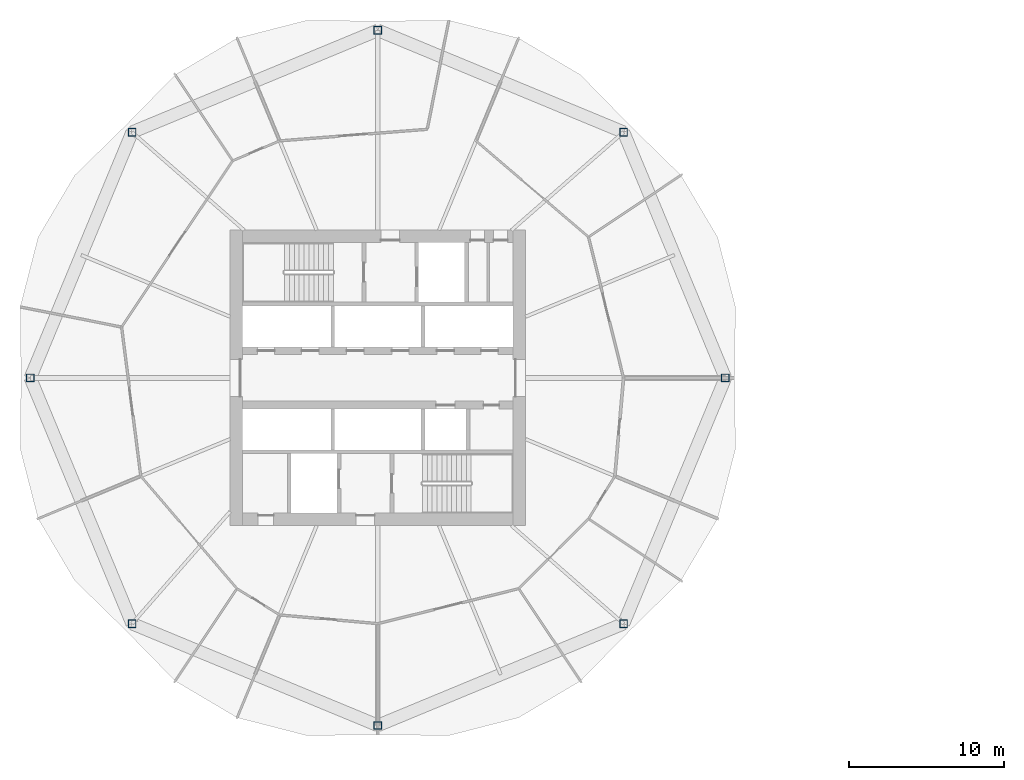
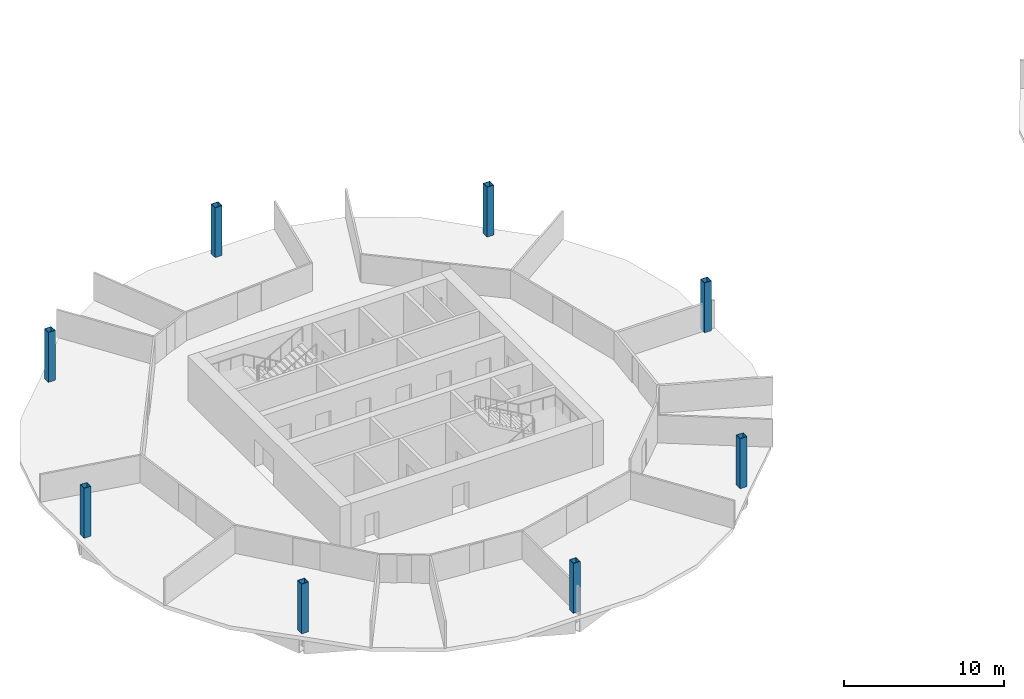
# One storey, part 1 of 10: 8 columns.
"""IFC4 building model written with IfcOpenShell, lengths in metres."""

from ifc_helpers import new_model, si_unit, direction, frame, origin, origin_2d, place, context, subcontext, project, spatial, hollow_rectangle, extrude, material, material_profile, profile_set, type_object, element, save


model = new_model("IFC4")

# Units and contexts
model_context = context("Model", 3, precision=1e-05, world=origin(), true_north=direction((0.0, 1.0)))
body_context = subcontext(model_context, "Body", "Model", "MODEL_VIEW")
ifc_project = project(units=[si_unit("LENGTHUNIT", "METRE"), si_unit("AREAUNIT", "SQUARE_METRE"), si_unit("VOLUMEUNIT", "CUBIC_METRE"), si_unit("PLANEANGLEUNIT", "RADIAN"), si_unit("MASSUNIT", "GRAM", prefix="KILO")], contexts=[model_context])

# Site, building, storey
site_placement = place(None, origin())
site = spatial("IfcSite", under=ifc_project, at=site_placement, CompositionType="ELEMENT")
building_placement = place(site_placement, origin())
building = spatial("IfcBuilding", under=site, at=building_placement, Name="Ogive Gate Towers", CompositionType="ELEMENT")
storey_placement = place(building_placement, frame((0.0, 0.0, 126.89990234375)))
storey = spatial("IfcBuildingStorey", under=building, at=storey_placement, Name="L30", CompositionType="ELEMENT", Elevation=126.89990234375)

# Columns
ifc_material = material(Name="Steel SM460", Category="steel")
ifc_material_profile = material_profile(ifc_material, hollow_rectangle(XDim=0.5, YDim=0.5, WallThickness=0.030029296875, at=origin_2d()), Name="BX 500x500x30")
ifc_profile_set = profile_set([ifc_material_profile], Name="Steel SM460")
column_type = type_object("IfcColumnType", Name="Perimeter post BX 500x500x30", PredefinedType="COLUMN", material=ifc_profile_set)
for number, where, z_axis, x_axis, name in (
    (1, (-13.64990234375, 0.0, 0.0), (0.0, 0.0, 1.0), (1.0, 0.0, 0.0), "T1/L30/SCL001"),
    (2, (-20.196044921875, 15.803955078125, 0.0), (0.0, 0.0, 1.0), (1.0, 0.0, 0.0), "T1/L30/SCL002"),
    (3, (-36.0, 22.35009765625, 0.0), (0.0, 0.0, 1.0), (1.0, 0.0, 0.0), "T1/L30/SCL003"),
    (4, (-51.803955078125, 15.803955078125, 0.0), (0.0, 0.0, 1.0), (1.0, 0.0, 0.0), "T1/L30/SCL004"),
    (5, (-58.35009765625, 0.0, 0.0), (0.0, 0.0, 1.0), (1.0, 0.0, 0.0), "T1/L30/SCL005"),
    (6, (-51.803955078125, -15.803955078125, 0.0), (0.0, 0.0, 1.0), (1.0, 0.0, 0.0), "T1/L30/SCL006"),
    (7, (-36.0, -22.35009765625, 0.0), (0.0, 0.0, 1.0), (1.0, 0.0, 0.0), "T1/L30/SCL007"),
    (8, (-20.196044921875, -15.803955078125, 0.0), (0.0, 0.0, 1.0), (1.0, 0.0, 0.0), "T1/L30/SCL008"),
):
    element("IfcColumn", number, at=place(storey_placement, frame(where, z_axis=z_axis, x_axis=x_axis)), inside=storey, type_object=column_type, Name=name, PredefinedType="COLUMN", context=body_context, shape_type="SweptSolid", body=[
        extrude(hollow_rectangle(XDim=0.5, YDim=0.5, WallThickness=0.030029296875, at=origin_2d()), origin(), (0.0, 0.0, 1.0), 3.800048828125),
    ])

save(model, "model.ifc")
